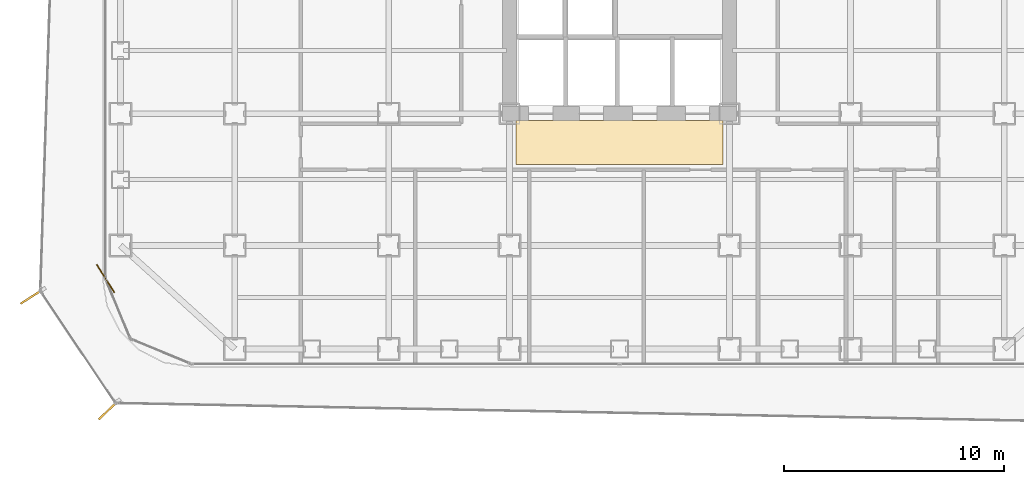
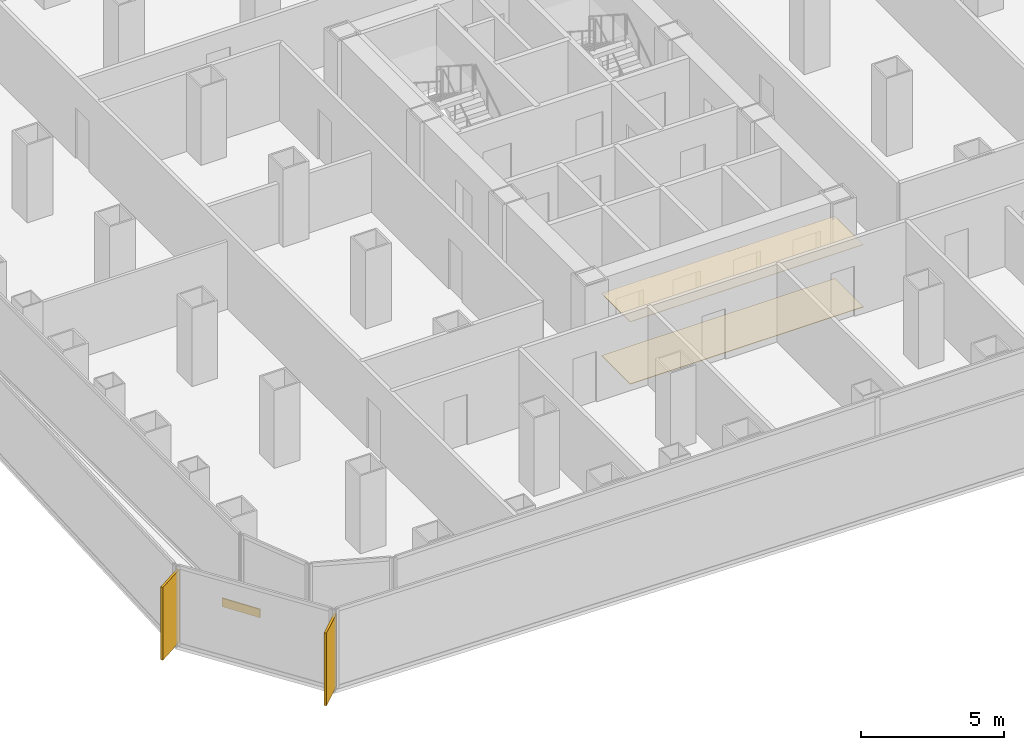
# One storey, part 20 of 22: 3 coverings, 2 shading devices.
"""IFC4 building model written with IfcOpenShell, lengths in metres."""

from ifc_helpers import new_model, si_unit, direction, frame, origin, origin_2d, place, context, subcontext, project, spatial, polyline, rectangle, outline, extrude, source, transform, mapped, material, layer, layer_set, type_object, element, save


model = new_model("IFC4")

# Units and contexts
model_context = context("Model", 3, precision=1e-05, world=origin(), true_north=direction((0.0, 1.0)))
body_context = subcontext(model_context, "Body", "Model", "MODEL_VIEW")
ifc_project = project(units=[si_unit("LENGTHUNIT", "METRE"), si_unit("AREAUNIT", "SQUARE_METRE"), si_unit("VOLUMEUNIT", "CUBIC_METRE"), si_unit("PLANEANGLEUNIT", "RADIAN"), si_unit("MASSUNIT", "GRAM", prefix="KILO")], contexts=[model_context])

# Site, building, storey
site_placement = place(None, origin())
site = spatial("IfcSite", under=ifc_project, at=site_placement, CompositionType="ELEMENT")
building_placement = place(site_placement, origin())
building = spatial("IfcBuilding", under=site, at=building_placement, Name="Kolveth Station Tower", CompositionType="ELEMENT")
storey_placement = place(building_placement, frame((0.0, 0.0, 51.300048828125)))
storey = spatial("IfcBuildingStorey", under=building, at=storey_placement, Name="L13", CompositionType="ELEMENT", Elevation=51.300048828125)

# Coverings
ifc_material_1 = material(Name="Acoustic mineral-fibre ceiling tile")
ifc_layer_1 = layer(ifc_material_1, 0.02490234375)
ifc_layer_set_1 = layer_set([ifc_layer_1], Name="Acoustic mineral-fibre ceiling tile")
covering_type_1 = type_object("IfcCoveringType", Name="Ceil_CL1", PredefinedType="CEILING", material=ifc_layer_set_1)
covering_1_placement = place(storey_placement, frame((0.0, 0.0, 2.64990234375)))
element("IfcCovering", 1, at=covering_1_placement, inside=storey, type_object=covering_type_1, Name="L13 Lift Lobby Suspended Ceiling", PredefinedType="CEILING", context=body_context, shape_type="SweptSolid", body=[
    extrude(outline(polyline([(18.800048828125, 9.199951171875), (28.199951171875, 9.199951171875), (28.199951171875, 11.199951171875), (18.800048828125, 11.199951171875), (18.800048828125, 9.199951171875)])), origin(), (0.0, 0.0, 1.0), 0.025146484375),
])
ifc_material_2 = material(Name="Honed terrazzo flooring")
ifc_layer_2 = layer(ifc_material_2, 0.02001953125)
ifc_layer_set_2 = layer_set([ifc_layer_2], Name="Honed terrazzo flooring")
covering_type_2 = type_object("IfcCoveringType", Name="Floor_FL1", PredefinedType="FLOORING", material=ifc_layer_set_2)
covering_2_placement = place(storey_placement, origin())
element("IfcCovering", 2, at=covering_2_placement, inside=storey, type_object=covering_type_2, Name="L13 Lift Lobby Floor Finish", PredefinedType="FLOORING", context=body_context, shape_type="SweptSolid", body=[
    extrude(outline(polyline([(18.800048828125, 9.199951171875), (28.199951171875, 9.199951171875), (28.199951171875, 11.199951171875), (18.800048828125, 11.199951171875), (18.800048828125, 9.199951171875)])), origin(), (0.0, 0.0, 1.0), 0.02001953125),
])

# Shading devices
ifc_material_3 = material(Name="Black anodized aluminium 6063-T6", Category="aluminium")
shading_device_type = type_object("IfcShadingDeviceType", Name="FIN_VF1", PredefinedType="USERDEFINED", material=ifc_material_3)
shared_shape_1 = source(origin(), body_context, "Body", "SweptSolid", [
    extrude(rectangle(XDim=1.25, YDim=0.090087890625, at=origin_2d()), origin(), (0.0, 0.0, 1.0), 3.10009765625),
])
for number, where, z_axis, x_axis, name in (
    (3, (-3.218994140625, 3.19189453125, 0.0), (0.0, 0.0, 1.0), (-0.842828324641, -0.538182511035, 0.0), "L13 Dark-Aluminium Solar Fin 7"),
    (4, (0.258056640625, -1.97705078125, 0.0), (0.0, 0.0, 1.0), (-0.722725938412, -0.691134732122, 0.0), "L13 Dark-Aluminium Solar Fin 8"),
):
    element("IfcShadingDevice", number, at=place(storey_placement, frame(where, z_axis=z_axis, x_axis=x_axis)), inside=storey, type_object=shading_device_type, Name=name, ObjectType="FIN", PredefinedType="USERDEFINED", context=body_context, shape_type="MappedRepresentation", body=[
        mapped(shared_shape_1, transform((0.0, 0.0, 0.0), x_axis=(1.0, 0.0, 0.0), y_axis=(0.0, 1.0, 0.0), z_axis=(0.0, 0.0, 1.0), scale=1.0)),
    ])

# Covering
ifc_material_4 = material(Name="Charcoal anodized aluminium spandrel cladding", Category="aluminium")
ifc_layer_3 = layer(ifc_material_4, 0.044921875)
ifc_layer_set_3 = layer_set([ifc_layer_3], Name="Charcoal anodized aluminium spandrel cladding")
covering_type_3 = type_object("IfcCoveringType", Name="Clad_CD1", PredefinedType="CLADDING", material=ifc_layer_set_3)
shared_shape_2 = source(origin(), body_context, "Body", "SweptSolid", [
    extrude(rectangle(XDim=1.5, YDim=0.044921875, at=origin_2d()), origin(), (0.0, 0.0, 1.0), 0.360107421875),
])
covering_3_placement = place(storey_placement, frame((0.1201171875, 4.0, 0.0), z_axis=(0.0, 0.0, 1.0), x_axis=(0.538182511035, -0.842828324641, 0.0)))
element("IfcCovering", 5, at=covering_3_placement, inside=storey, type_object=covering_type_3, Name="L13 Spandrel Edge Cladding 7", PredefinedType="CLADDING", context=body_context, shape_type="MappedRepresentation", body=[
    mapped(shared_shape_2, transform((0.0, 0.0, 0.0), x_axis=(1.0, 0.0, 0.0), y_axis=(0.0, 1.0, 0.0), z_axis=(0.0, 0.0, 1.0), scale=1.0)),
])

save(model, "model.ifc")
